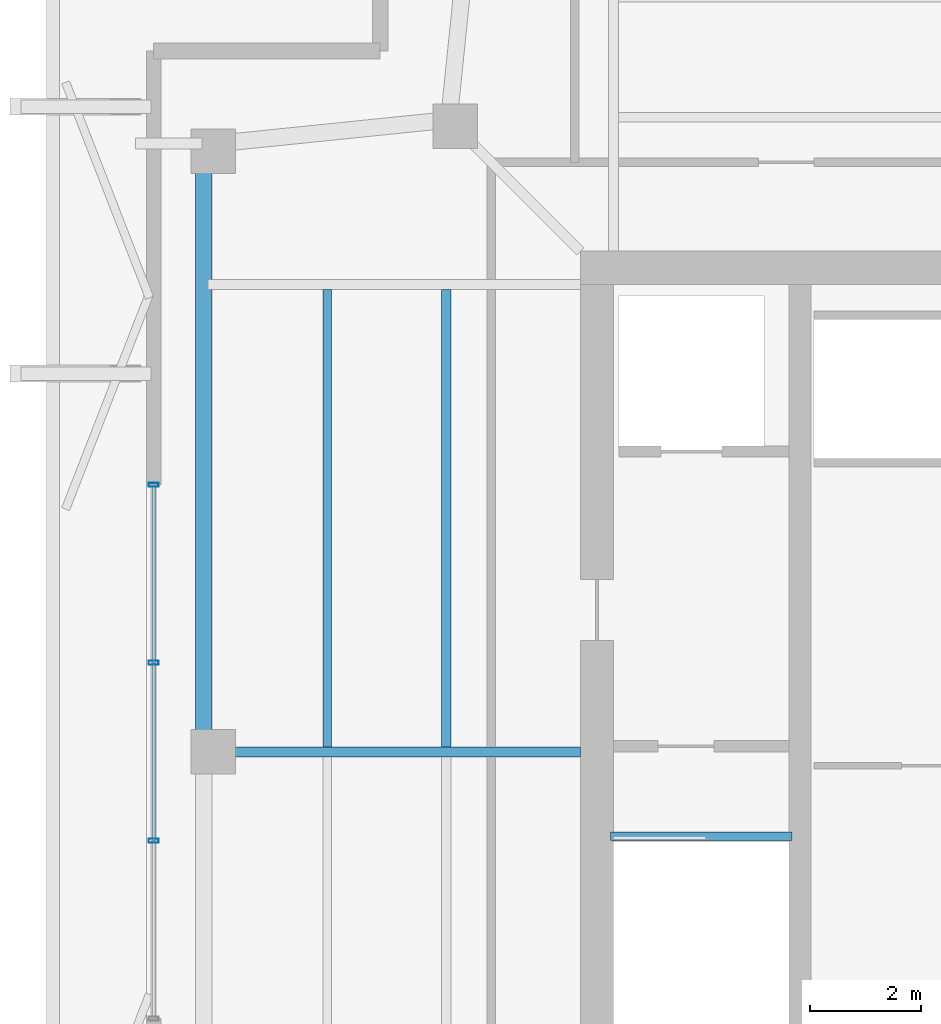
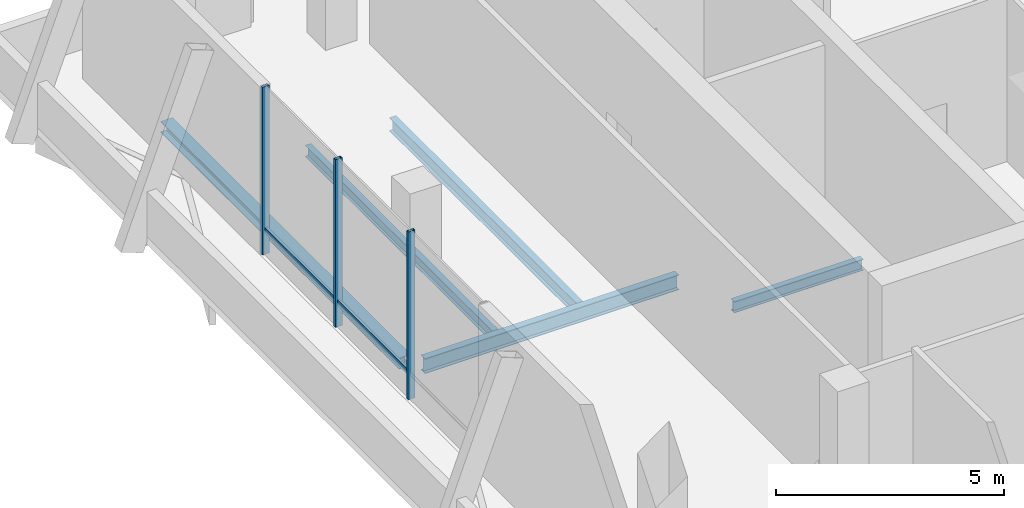
# One storey, part 6 of 15: 5 beams, 5 members, 1 element without a shape of its own.
"""IFC4 building model written with IfcOpenShell, lengths in metres."""

from ifc_helpers import new_model, si_unit, direction, frame, origin, origin_2d, place, context, subcontext, project, spatial, hollow_rectangle, i_section, extrude, material, layer, layer_set, material_profile, profile_set, type_object, element, aggregate, save


model = new_model("IFC4")

# Units and contexts
model_context = context("Model", 3, precision=1e-05, world=origin(), true_north=direction((0.0, 1.0)))
body_context = subcontext(model_context, "Body", "Model", "MODEL_VIEW")
ifc_project = project(units=[si_unit("LENGTHUNIT", "METRE"), si_unit("AREAUNIT", "SQUARE_METRE"), si_unit("VOLUMEUNIT", "CUBIC_METRE"), si_unit("PLANEANGLEUNIT", "RADIAN"), si_unit("MASSUNIT", "GRAM", prefix="KILO")], contexts=[model_context])

# Site, building, storey
site_placement = place(None, origin())
site = spatial("IfcSite", under=ifc_project, at=site_placement, CompositionType="ELEMENT")
building_placement = place(site_placement, origin())
building = spatial("IfcBuilding", under=site, at=building_placement, Name="Belovzor Exchange Tower", CompositionType="ELEMENT")
storey_placement = place(building_placement, frame((0.0, 0.0, 373.800048828125)))
storey = spatial("IfcBuildingStorey", under=building, at=storey_placement, Name="L93", CompositionType="ELEMENT", Elevation=373.800048828125)

# Beams
ifc_material_1 = material(Name="Steel S355", Category="steel")
ifc_material_profile_1 = material_profile(ifc_material_1, i_section(OverallWidth=0.300048828125, OverallDepth=0.300048828125, WebThickness=0.010986328125, FlangeThickness=0.01904296875, at=origin_2d()))
ifc_profile_set_1 = profile_set([ifc_material_profile_1], Name="Steel S355")
beam_type_1 = type_object("IfcBeamType", Name="Crown Plant Primary Beam HEB 300", PredefinedType="BEAM", material=ifc_profile_set_1)
beam_1_placement = place(storey_placement, frame((13.031005859375, 39.491943359375, -0.449951171875), z_axis=(0.0, -1.0, 0.0), x_axis=(1.0, 0.0, 0.0)))
element("IfcBeam", 1, at=beam_1_placement, inside=storey, type_object=beam_type_1, Name="FG-CR Crown Plant Primary Beam HEB 300", PredefinedType="BEAM", context=body_context, shape_type="SweptSolid", body=[
    extrude(i_section(OverallWidth=0.300048828125, OverallDepth=0.300048828125, WebThickness=0.010986328125, FlangeThickness=0.01904296875, at=origin_2d()), origin(), (0.0, 0.0, 1.0), 10.471923828125),
])
ifc_material_2 = material(Name="Steel S355", Category="steel")
ifc_material_profile_2 = material_profile(ifc_material_2, i_section(OverallWidth=0.169921875, OverallDepth=0.360107421875, WebThickness=0.008056640625, FlangeThickness=0.0126953125, at=origin_2d()))
ifc_profile_set_2 = profile_set([ifc_material_profile_2], Name="Steel S355")
beam_type_2 = type_object("IfcBeamType", Name="Secondary Infill Floor Joist IPE 360", PredefinedType="BEAM", material=ifc_profile_set_2)
beam_2_placement = place(storey_placement, frame((17.389892578125, 28.889892578125, -0.47998046875), z_axis=(0.0, 1.0, 0.0), x_axis=(-1.0, 0.0, 0.0)))
element("IfcBeam", 2, at=beam_2_placement, inside=storey, type_object=beam_type_2, Name="FJ-360 Secondary Infill Floor Joist IPE 360", PredefinedType="BEAM", context=body_context, shape_type="SweptSolid", body=[
    extrude(i_section(OverallWidth=0.169921875, OverallDepth=0.360107421875, WebThickness=0.008056640625, FlangeThickness=0.0126953125, at=origin_2d()), origin(), (0.0, 0.0, 1.0), 8.22021484375),
])
ifc_material_3 = material(Name="Steel S355", Category="steel")
ifc_material_profile_3 = material_profile(ifc_material_3, i_section(OverallWidth=0.14990234375, OverallDepth=0.300048828125, WebThickness=0.007080078125, FlangeThickness=0.0107421875, at=origin_2d()))
ifc_profile_set_3 = profile_set([ifc_material_profile_3], Name="Steel S355")
beam_type_3 = type_object("IfcBeamType", Name="Secondary Trim Floor Joist IPE 300", PredefinedType="BEAM", material=ifc_profile_set_3)
beam_3_placement = place(storey_placement, frame((20.340087890625, 27.280029296875, -0.449951171875), z_axis=(1.0, 0.0, 0.0), x_axis=(0.0, 1.0, 0.0)))
element("IfcBeam", 3, at=beam_3_placement, inside=storey, type_object=beam_type_3, Name="FJ-300 Secondary Trim Floor Joist IPE 300", PredefinedType="BEAM", context=body_context, shape_type="SweptSolid", body=[
    extrude(i_section(OverallWidth=0.14990234375, OverallDepth=0.300048828125, WebThickness=0.007080078125, FlangeThickness=0.0107421875, at=origin_2d()), origin(), (0.0, 0.0, 1.0), 3.27001953125),
])
beam_4_placement = place(storey_placement, frame((15.248046875, 28.889892578125, -0.449951171875), z_axis=(0.0, 1.0, 0.0), x_axis=(-1.0, 0.0, 0.0)))
element("IfcBeam", 4, at=beam_4_placement, inside=storey, type_object=beam_type_3, Name="FJ-300 Secondary Trim Floor Joist IPE 300", PredefinedType="BEAM", context=body_context, shape_type="SweptSolid", body=[
    extrude(i_section(OverallWidth=0.14990234375, OverallDepth=0.300048828125, WebThickness=0.007080078125, FlangeThickness=0.0107421875, at=origin_2d()), origin(), (0.0, 0.0, 1.0), 8.22021484375),
])

# Curtain wall, members
ifc_material_4 = material(Name="Anodised Aluminium Framing", Category="aluminium")
ifc_layer = layer(ifc_material_4, 0.169921875)
ifc_layer_set = layer_set([ifc_layer], Name="Anodised Aluminium Framing")
curtain_wall_type = type_object("IfcCurtainWallType", Name="Stepped Crown Faceted Lantern Curtain Wall", PredefinedType="NOTDEFINED", material=ifc_layer_set)
curtain_wall_placement = place(storey_placement, origin())
curtain_wall = element("IfcCurtainWall", 5, at=curtain_wall_placement, inside=storey, type_object=curtain_wall_type, Name="CW6 Stepped Crown Faceted Lantern Curtain Wall L93", PredefinedType="NOTDEFINED")
ifc_material_5 = material(Name="Steel S355", Category="steel")
ifc_material_profile_4 = material_profile(ifc_material_5, hollow_rectangle(XDim=0.074951171875, YDim=0.179931640625, WallThickness=0.0048828125, at=origin_2d()))
ifc_profile_set_4 = profile_set([ifc_material_profile_4], Name="Steel S355")
member_type_1 = type_object("IfcMemberType", Name="Thermally Broken Curtain Wall Mullion 180x75", PredefinedType="MULLION", material=ifc_profile_set_4)
member_1_placement = place(storey_placement, frame((12.1298828125, 27.199951171875, 0.0), z_axis=(0.0, 0.0, 1.0), x_axis=(0.0, 1.0, 0.0)))
member_1 = element("IfcMember", 6, at=member_1_placement, type_object=member_type_1, Name="CW-M180 Curtain Wall Mullion 2", PredefinedType="MULLION", context=body_context, shape_type="SweptSolid", body=[
    extrude(hollow_rectangle(XDim=0.074951171875, YDim=0.179931640625, WallThickness=0.0048828125, at=origin_2d()), origin(), (0.0, 0.0, 1.0), 4.5),
])
member_2_placement = place(storey_placement, frame((12.1298828125, 30.39990234375, 0.0), z_axis=(0.0, 0.0, 1.0), x_axis=(0.0, 1.0, 0.0)))
member_2 = element("IfcMember", 7, at=member_2_placement, type_object=member_type_1, Name="CW-M180 Curtain Wall Mullion 3", PredefinedType="MULLION", context=body_context, shape_type="SweptSolid", body=[
    extrude(hollow_rectangle(XDim=0.074951171875, YDim=0.179931640625, WallThickness=0.0048828125, at=origin_2d()), origin(), (0.0, 0.0, 1.0), 4.5),
])
member_3_placement = place(storey_placement, frame((12.1298828125, 33.60009765625, 0.0), z_axis=(0.0, 0.0, 1.0), x_axis=(0.0, 1.0, 0.0)))
member_3 = element("IfcMember", 8, at=member_3_placement, type_object=member_type_1, Name="CW-M180 Curtain Wall Mullion 4", PredefinedType="MULLION", context=body_context, shape_type="SweptSolid", body=[
    extrude(hollow_rectangle(XDim=0.074951171875, YDim=0.179931640625, WallThickness=0.0048828125, at=origin_2d()), origin(), (0.0, 0.0, 1.0), 4.5),
])
ifc_material_6 = material(Name="Steel S355", Category="steel")
ifc_material_profile_5 = material_profile(ifc_material_6, hollow_rectangle(XDim=0.06005859375, YDim=0.14990234375, WallThickness=0.00390625, at=origin_2d()))
ifc_profile_set_5 = profile_set([ifc_material_profile_5], Name="Steel S355")
member_type_2 = type_object("IfcMemberType", Name="Thermally Broken Curtain Wall Transom 150x60", PredefinedType="USERDEFINED", material=ifc_profile_set_5)
member_4_placement = place(storey_placement, frame((12.1298828125, 27.2080078125, 0.64990234375), z_axis=(0.0, 1.0, 0.0), x_axis=(-1.0, 0.0, 0.0)))
member_4 = element("IfcMember", 9, at=member_4_placement, type_object=member_type_2, Name="CW-T150 Curtain Wall Transom 2", ObjectType="TRANSOM", PredefinedType="USERDEFINED", context=body_context, shape_type="SweptSolid", body=[
    extrude(hollow_rectangle(XDim=0.06005859375, YDim=0.14990234375, WallThickness=0.00390625, at=origin_2d()), origin(), (0.0, 0.0, 1.0), 3.18408203125),
])
member_5_placement = place(storey_placement, frame((12.1298828125, 30.407958984375, 0.64990234375), z_axis=(0.0, 1.0, 0.0), x_axis=(-1.0, 0.0, 0.0)))
member_5 = element("IfcMember", 10, at=member_5_placement, type_object=member_type_2, Name="CW-T150 Curtain Wall Transom 3", ObjectType="TRANSOM", PredefinedType="USERDEFINED", context=body_context, shape_type="SweptSolid", body=[
    extrude(hollow_rectangle(XDim=0.06005859375, YDim=0.14990234375, WallThickness=0.00390625, at=origin_2d()), origin(), (0.0, 0.0, 1.0), 3.18408203125),
])
aggregate(curtain_wall, [member_1, member_2, member_3, member_4, member_5])

# Beam
ifc_material_7 = material(Name="Steel S355", Category="steel")
ifc_material_profile_6 = material_profile(ifc_material_7, i_section(OverallWidth=0.179931640625, OverallDepth=0.39990234375, WebThickness=0.008544921875, FlangeThickness=0.013427734375, at=origin_2d()))
ifc_profile_set_6 = profile_set([ifc_material_profile_6], Name="Steel S355")
beam_type_4 = type_object("IfcBeamType", Name="Zone 5-6 Radial Composite Floor Beam IPE 400", PredefinedType="BEAM", material=ifc_profile_set_6)
beam_5_placement = place(storey_placement, frame((19.800048828125, 28.800048828125, -0.5), z_axis=(-1.0, 0.0, 0.0), x_axis=(0.0, -1.0, 0.0)))
element("IfcBeam", 11, at=beam_5_placement, inside=storey, type_object=beam_type_4, Name="FB-400 Zone 5-6 Radial Composite Floor Beam IPE 400", PredefinedType="BEAM", context=body_context, shape_type="SweptSolid", body=[
    extrude(i_section(OverallWidth=0.179931640625, OverallDepth=0.39990234375, WebThickness=0.008544921875, FlangeThickness=0.013427734375, at=origin_2d()), origin(), (0.0, 0.0, 1.0), 6.43505859375),
])

save(model, "model.ifc")
